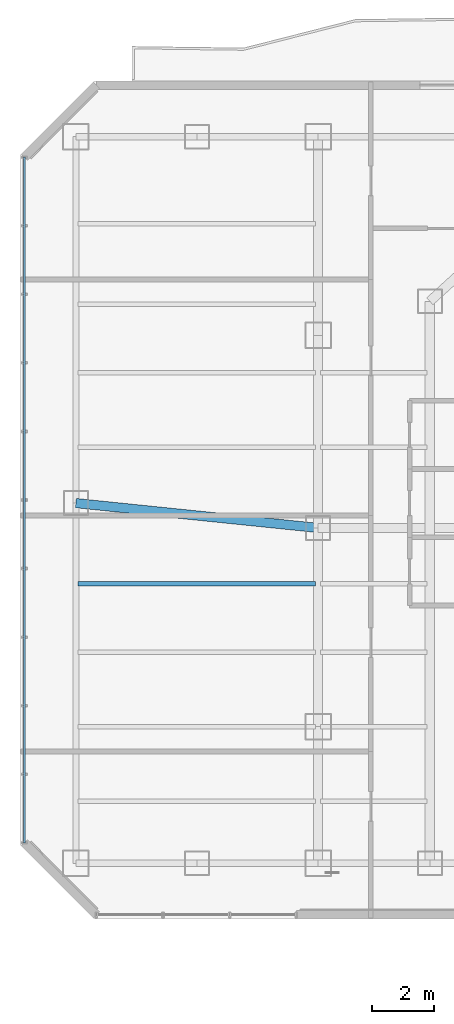
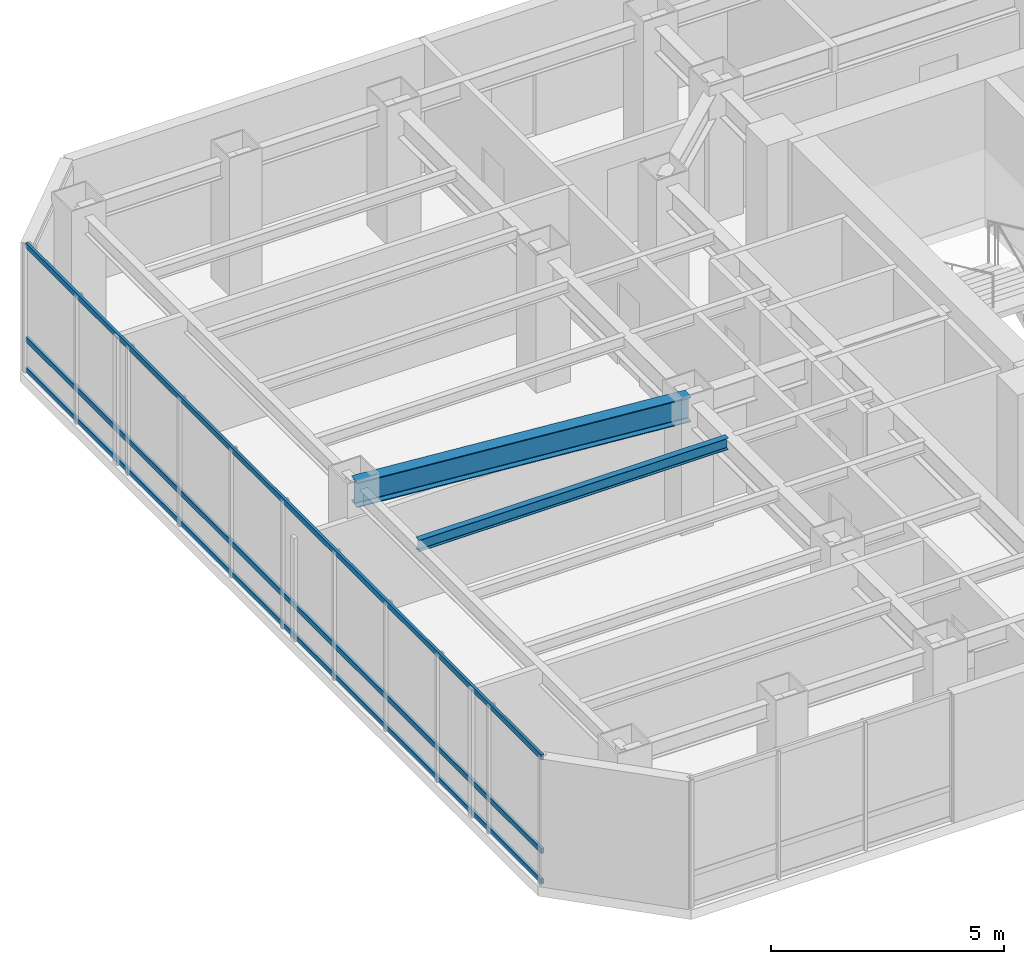
# One storey, part 7 of 27: 3 members, 2 beams, 1 element without a shape of its own.
"""IFC4 building model written with IfcOpenShell, lengths in metres."""

from ifc_helpers import new_model, si_unit, direction, frame, origin, origin_2d, place, context, subcontext, project, spatial, hollow_rectangle, i_section, extrude, material, layer, layer_set, material_profile, profile_set, type_object, element, aggregate, save


model = new_model("IFC4")

# Units and contexts
model_context = context("Model", 3, precision=1e-05, world=origin(), true_north=direction((0.0, 1.0)))
body_context = subcontext(model_context, "Body", "Model", "MODEL_VIEW")
ifc_project = project(units=[si_unit("LENGTHUNIT", "METRE"), si_unit("AREAUNIT", "SQUARE_METRE"), si_unit("VOLUMEUNIT", "CUBIC_METRE"), si_unit("PLANEANGLEUNIT", "RADIAN"), si_unit("MASSUNIT", "GRAM", prefix="KILO")], contexts=[model_context])

# Site, building, storey
site_placement = place(None, origin())
site = spatial("IfcSite", under=ifc_project, at=site_placement, CompositionType="ELEMENT")
building_placement = place(site_placement, origin())
building = spatial("IfcBuilding", under=site, at=building_placement, Name="Hatsunagi Terrace Concourse", CompositionType="ELEMENT")
storey_placement = place(building_placement, frame((0.0, 0.0, 142.050048828125)))
storey = spatial("IfcBuildingStorey", under=building, at=storey_placement, Name="L37", CompositionType="ELEMENT", Elevation=142.050048828125)

# Curtain wall, members
ifc_material_1 = material(Name="Anodised Aluminium Alloy 6063-T5", Category="aluminium")
ifc_layer = layer(ifc_material_1, 0.199951171875)
ifc_layer_set = layer_set([ifc_layer], Name="OfficeZone1_CW03")
curtain_wall_type = type_object("IfcCurtainWallType", Name="OfficeZone1_CW03", PredefinedType="NOTDEFINED", material=ifc_layer_set)
curtain_wall_placement = place(storey_placement, origin())
curtain_wall = element("IfcCurtainWall", 1, at=curtain_wall_placement, inside=storey, type_object=curtain_wall_type, Name="Unitised Curtain Wall CW-03 CW-L37-09", PredefinedType="NOTDEFINED")
ifc_material_2 = material(Name="Anodised Aluminium Alloy 6063-T5", Category="aluminium")
ifc_material_profile_1 = material_profile(ifc_material_2, hollow_rectangle(XDim=0.06494140625, YDim=0.139892578125, WallThickness=0.00390625, at=origin_2d()), Name="ALU-TRN-140x65x4")
ifc_profile_set_1 = profile_set([ifc_material_profile_1], Name="Anodised Aluminium Alloy 6063-T5")
member_type = type_object("IfcMemberType", Name="CurtainWallTransom_140x65", PredefinedType="USERDEFINED", material=ifc_profile_set_1)
member_1_placement = place(storey_placement, frame((9.739990234375, 25.85791015625, 0.050048828125), z_axis=(0.0, 1.0, 0.0), x_axis=(-1.0, 0.0, 0.0)))
member_1 = element("IfcMember", 2, at=member_1_placement, type_object=member_type, Name="Curtain Wall Transom TRN-02", ObjectType="TRANSOM", PredefinedType="USERDEFINED", context=body_context, shape_type="SweptSolid", body=[
    extrude(hollow_rectangle(XDim=0.06494140625, YDim=0.139892578125, WallThickness=0.00390625, at=origin_2d()), origin(), (0.0, 0.0, 1.0), 22.083984375),
])
member_2_placement = place(storey_placement, frame((9.739990234375, 25.85791015625, 0.849853515625), z_axis=(0.0, 1.0, 0.0), x_axis=(-1.0, 0.0, 0.0)))
member_2 = element("IfcMember", 3, at=member_2_placement, type_object=member_type, Name="Curtain Wall Transom TRN-02", ObjectType="TRANSOM", PredefinedType="USERDEFINED", context=body_context, shape_type="SweptSolid", body=[
    extrude(hollow_rectangle(XDim=0.06494140625, YDim=0.139892578125, WallThickness=0.00390625, at=origin_2d()), origin(), (0.0, 0.0, 1.0), 22.083984375),
])
member_3_placement = place(storey_placement, frame((9.739990234375, 25.85791015625, 3.300048828125), z_axis=(0.0, 1.0, 0.0), x_axis=(-1.0, 0.0, 0.0)))
member_3 = element("IfcMember", 4, at=member_3_placement, type_object=member_type, Name="Curtain Wall Transom TRN-02", ObjectType="TRANSOM", PredefinedType="USERDEFINED", context=body_context, shape_type="SweptSolid", body=[
    extrude(hollow_rectangle(XDim=0.06494140625, YDim=0.139892578125, WallThickness=0.00390625, at=origin_2d()), origin(), (0.0, 0.0, 1.0), 22.083984375),
])
aggregate(curtain_wall, [member_1, member_2, member_3])

# Beams
ifc_material_3 = material(Name="Steel SN490B", Category="steel")
ifc_material_profile_2 = material_profile(ifc_material_3, i_section(OverallWidth=0.14990234375, OverallDepth=0.300048828125, WebThickness=0.006591796875, FlangeThickness=0.009033203125, FilletRadius=0.010986328125, at=origin_2d()), Name="H-300x150x6.5x9")
ifc_profile_set_2 = profile_set([ifc_material_profile_2], Name="Steel SN490B")
beam_type_1 = type_object("IfcBeamType", Name="OfficeJoist_H_300x150", PredefinedType="JOIST", material=ifc_profile_set_2)
beam_1_placement = place(storey_placement, frame((11.465087890625, 34.199951171875, 3.199951171875), z_axis=(1.0, 0.0, 0.0), x_axis=(0.0, 1.0, 0.0)))
element("IfcBeam", 5, at=beam_1_placement, inside=storey, type_object=beam_type_1, Name="Beam J-03 J-L37-W-11-342", PredefinedType="JOIST", context=body_context, shape_type="SweptSolid", body=[
    extrude(i_section(OverallWidth=0.14990234375, OverallDepth=0.300048828125, WebThickness=0.006591796875, FlangeThickness=0.009033203125, FilletRadius=0.010986328125, at=origin_2d()), origin(), (0.0, 0.0, 1.0), 7.64990234375),
])
ifc_material_4 = material(Name="Steel SN490B", Category="steel")
ifc_material_profile_3 = material_profile(ifc_material_4, i_section(OverallWidth=0.300048828125, OverallDepth=0.64990234375, WebThickness=0.012939453125, FlangeThickness=0.02197265625, FilletRadius=0.01806640625, at=origin_2d()), Name="H-650x300x13x22")
ifc_profile_set_3 = profile_set([ifc_material_profile_3], Name="Steel SN490B")
beam_type_2 = type_object("IfcBeamType", Name="OfficeLowGirder_H_650x300", PredefinedType="BEAM", material=ifc_profile_set_3)
beam_2_placement = place(storey_placement, frame((11.39990234375, 36.800048828125, 3.02490234375), z_axis=(0.994780871372, -0.102034395927, 0.0), x_axis=(0.102034395927, 0.994780871372, 0.0)))
element("IfcBeam", 6, at=beam_2_placement, inside=storey, type_object=beam_type_2, Name="Beam G-05 BM-L37-EW-2", PredefinedType="BEAM", context=body_context, shape_type="SweptSolid", body=[
    extrude(i_section(OverallWidth=0.300048828125, OverallDepth=0.64990234375, WebThickness=0.012939453125, FlangeThickness=0.02197265625, FilletRadius=0.01806640625, at=origin_2d()), origin(), (0.0, 0.0, 1.0), 7.841064453125),
])

save(model, "model.ifc")
